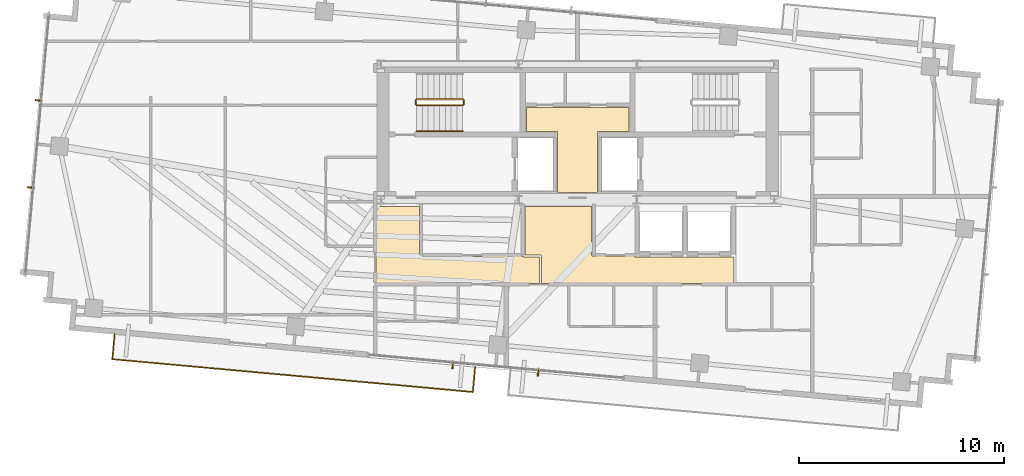
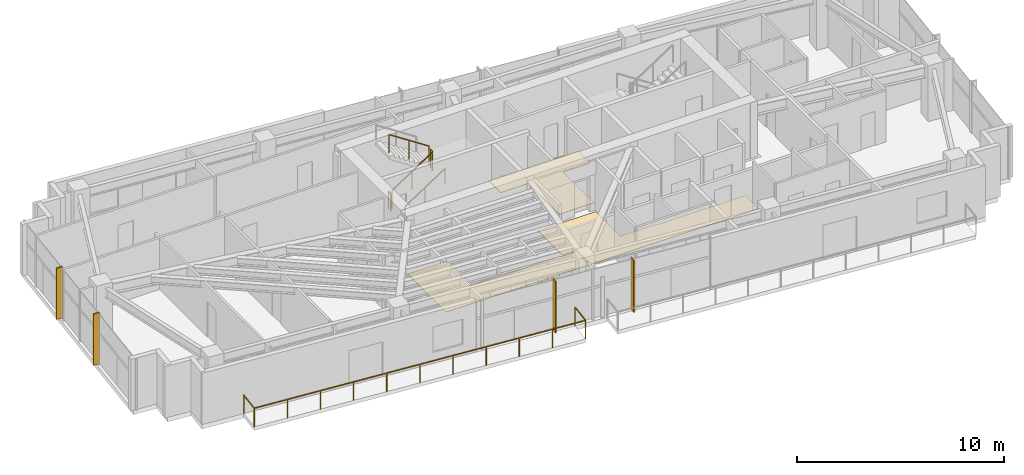
# One storey, part 20 of 22: 6 railings, 4 shading devices, 3 coverings.
"""IFC4 building model written with IfcOpenShell, lengths in metres."""

import ifcopenshell
import ifcopenshell.guid

model = None  # the IFC model being written
_history = None  # IfcOwnerHistory: only IFC2X3 demands one
_inside = {}  # id of a spatial element -> (the spatial element, [elements in it])
_under = {}  # id of a project, library or spatial element -> (it, [spatial elements below it])
_declared = {}  # id of a project -> (the project, [libraries it declares])
_typed = {}  # id of a type object -> (the type object, [elements of that type])
_made_of = {}  # id of a material, layer set ... -> (it, [elements and type objects made of it])


def new_model(schema):
    """Start an empty IFC model of exactly this schema.

    Asked for "IFC4X3", IfcOpenShell would pick the latest addendum, in which some entities
    have other attributes; the version numbers below select the first issue.
    IFC2X3 requires an IfcOwnerHistory on every rooted entity: one is made here for all.
    """
    global model, _history
    if schema == "IFC4X3":
        model = ifcopenshell.file(schema_version=(4, 3, 0, 0))
    else:
        model = ifcopenshell.file(schema=schema)
    _inside.clear()
    _under.clear()
    _declared.clear()
    _typed.clear()
    _made_of.clear()
    _history = None
    if model.schema == "IFC2X3":
        org = make("IfcOrganization", Name="unknown")
        user = make(
            "IfcPersonAndOrganization",
            ThePerson=make("IfcPerson", FamilyName="unknown"),
            TheOrganization=org,
        )
        app = make(
            "IfcApplication",
            ApplicationDeveloper=org,
            Version="unknown",
            ApplicationFullName="unknown",
            ApplicationIdentifier="unknown",
        )
        _history = make(
            "IfcOwnerHistory",
            OwningUser=user,
            OwningApplication=app,
            ChangeAction="ADDED",
            CreationDate=0,
        )
    return model


def make(cls, **values):
    """One entity of the class cls with the attributes given. An attribute that is None is left unset."""
    return model.create_entity(
        cls, **{name: value for name, value in values.items() if value is not None}
    )


def rooted(cls, **values):
    """An entity with a GlobalId (a new one), such as an element, a storey or a relation."""
    return make(cls, GlobalId=ifcopenshell.guid.new(), OwnerHistory=_history, **values)


def si_unit(unit_type, name, prefix=None):
    """IfcSIUnit, for example si_unit("LENGTHUNIT", "METRE", prefix="MILLI")."""
    return make("IfcSIUnit", UnitType=unit_type, Prefix=prefix, Name=name)


def assignment(units):
    """IfcUnitAssignment: the units of a project."""
    return None if units is None else make("IfcUnitAssignment", Units=units)


def point(xyz):
    """IfcCartesianPoint."""
    return None if xyz is None else make("IfcCartesianPoint", Coordinates=xyz)


def direction(xyz):
    """IfcDirection."""
    return None if xyz is None else make("IfcDirection", DirectionRatios=xyz)


def frame(location, z_axis=None, x_axis=None):
    """IfcAxis2Placement3D, a coordinate frame: its origin and axes. An axis left out is left unset."""
    return make(
        "IfcAxis2Placement3D",
        Location=point(location),
        Axis=direction(z_axis),
        RefDirection=direction(x_axis),
    )


def frame_2d(location, x_axis=None):
    """IfcAxis2Placement2D, a coordinate frame in the plane: its origin and x axis."""
    return make(
        "IfcAxis2Placement2D", Location=point(location), RefDirection=direction(x_axis)
    )


def origin():
    """The frame at (0, 0, 0) with its axes left unset."""
    return frame((0.0, 0.0, 0.0))


def origin_2d():
    """The frame at (0, 0) in the plane with its x axis left unset."""
    return frame_2d((0.0, 0.0))


def place(relative_to, where):
    """IfcLocalPlacement: puts the frame where relative to a parent placement (None: the world)."""
    return make(
        "IfcLocalPlacement", PlacementRelTo=relative_to, RelativePlacement=where
    )


def context(
    kind, dimensions, precision=None, world=None, true_north=None, identifier=None
):
    """IfcGeometricRepresentationContext, for example the 3D "Model" context."""
    return make(
        "IfcGeometricRepresentationContext",
        ContextIdentifier=identifier,
        ContextType=kind,
        CoordinateSpaceDimension=dimensions,
        Precision=precision,
        WorldCoordinateSystem=world,
        TrueNorth=true_north,
    )


def subcontext(parent, identifier, kind, view, scale=None):
    """IfcGeometricRepresentationSubContext, for example "Body" below "Model"."""
    return make(
        "IfcGeometricRepresentationSubContext",
        ContextIdentifier=identifier,
        ContextType=kind,
        ParentContext=parent,
        TargetScale=scale,
        TargetView=view,
    )


def project(units=None, contexts=None):
    """IfcProject with its units and contexts."""
    return rooted(
        "IfcProject",
        Name="project",
        RepresentationContexts=contexts,
        UnitsInContext=assignment(units),
    )


def spatial(cls, under=None, at=None, **own):
    """A site, building, storey or space (cls), placed at a placement, below another one or the project."""
    s = rooted(cls, ObjectPlacement=at, **own)
    if under is not None:
        _under.setdefault(under.id(), (under, []))[1].append(s)
    return s


def polyline(points):
    """IfcPolyline through the points."""
    return make("IfcPolyline", Points=[point(p) for p in points])


def profile(cls, at=None, kind="AREA", **sizes):
    """A parametric profile (cls). Its sizes go by their IFC names, for example OverallWidth=200.0."""
    return make(cls, ProfileType=kind, Position=at, **sizes)


def rectangle(**sizes):
    """IfcRectangleProfileDef."""
    return profile("IfcRectangleProfileDef", **sizes)


def outline(outer, holes=None, kind="AREA"):
    """IfcArbitraryClosedProfileDef: a profile drawn as a closed curve; with holes, ...WithVoids."""
    if holes is None:
        return make("IfcArbitraryClosedProfileDef", ProfileType=kind, OuterCurve=outer)
    return make(
        "IfcArbitraryProfileDefWithVoids",
        ProfileType=kind,
        OuterCurve=outer,
        InnerCurves=holes,
    )


def extrude(swept, where, along, depth):
    """IfcExtrudedAreaSolid: the profile swept, set in the frame where, extruded along a direction by depth."""
    return make(
        "IfcExtrudedAreaSolid",
        SweptArea=swept,
        Position=where,
        ExtrudedDirection=direction(along),
        Depth=depth,
    )


def shape(context_of_items, identifier, shape_type, items):
    """IfcShapeRepresentation: the items that make up one representation, for example the "Body"."""
    return make(
        "IfcShapeRepresentation",
        ContextOfItems=context_of_items,
        RepresentationIdentifier=identifier,
        RepresentationType=shape_type,
        Items=items,
    )


def source(mapping_origin, context_of_items, identifier, shape_type, items):
    """IfcRepresentationMap: a shape defined once, which mapped items show again and again."""
    return make(
        "IfcRepresentationMap",
        MappingOrigin=mapping_origin,
        MappedRepresentation=shape(context_of_items, identifier, shape_type, items),
    )


def transform(
    local_origin,
    x_axis=None,
    y_axis=None,
    z_axis=None,
    scale=None,
    scale2=None,
    scale3=None,
    uniform=True,
):
    """IfcCartesianTransformationOperator3D, or its non-uniform kind. x_axis, y_axis, z_axis: its Axis1, 2, 3."""
    if uniform:
        return make(
            "IfcCartesianTransformationOperator3D",
            Axis1=direction(x_axis),
            Axis2=direction(y_axis),
            LocalOrigin=point(local_origin),
            Scale=scale,
            Axis3=direction(z_axis),
        )
    return make(
        "IfcCartesianTransformationOperator3DnonUniform",
        Axis1=direction(x_axis),
        Axis2=direction(y_axis),
        LocalOrigin=point(local_origin),
        Scale=scale,
        Axis3=direction(z_axis),
        Scale2=scale2,
        Scale3=scale3,
    )


def mapped(mapping_source, mapping_target):
    """IfcMappedItem: shows the shape of a source again, moved by a transform."""
    return make(
        "IfcMappedItem", MappingSource=mapping_source, MappingTarget=mapping_target
    )


def material(Name=None, Category=None):
    """IfcMaterial."""
    return make("IfcMaterial", Name=Name, Category=Category)


def layer(
    of_material, thickness, ventilated=None, Name=None, Category=None, Priority=None
):
    """IfcMaterialLayer: one layer of a wall or slab, of a material (None: an air gap)."""
    return make(
        "IfcMaterialLayer",
        Material=of_material,
        LayerThickness=thickness,
        IsVentilated=ventilated,
        Name=Name,
        Category=Category,
        Priority=Priority,
    )


def layer_set(layers, Name=None):
    """IfcMaterialLayerSet."""
    return make("IfcMaterialLayerSet", MaterialLayers=layers, LayerSetName=Name)


def made_of(thing, what):
    """Note that an element or type object is made of a material, layer set ...; save() writes the relation."""
    if what is not None:
        _made_of.setdefault(what.id(), (what, []))[1].append(thing)
    return thing


def type_object(cls, material=None, **own):
    """A type object (cls), such as IfcWallType, which elements share."""
    return made_of(rooted(cls, **own), material)


def type_shapes(of_type, sources):
    """Give a type object the sources (RepresentationMaps) that its elements show as mapped items."""
    of_type.RepresentationMaps = sources


def element(
    cls,
    number,
    at=None,
    inside=None,
    cuts=None,
    type_object=None,
    material=None,
    context=None,
    identifier="Body",
    shape_type=None,
    held_by="IfcProductDefinitionShape",
    body=None,
    shapes=None,
    **own,
):
    """One element of the class cls, such as IfcWall. Its Tag is "e" and its number.

    at: its placement. inside: the storey or other place that contains it. cuts: it is an
    opening in that element (IfcRelVoidsElement). A single representation is given by context,
    identifier, shape_type and body (its items); several are given by shapes. held_by: the class
    of the entity that holds the representations. save() writes the other relations.
    """
    e = rooted(cls, Tag="e%d" % number, ObjectPlacement=at, **own)
    if body is not None:
        shapes = [shape(context, identifier, shape_type, body)]
    if shapes is not None:
        e.Representation = make(held_by, Representations=shapes)
    if inside is not None:
        _inside.setdefault(inside.id(), (inside, []))[1].append(e)
    if cuts is not None:
        rooted(
            "IfcRelVoidsElement", RelatingBuildingElement=cuts, RelatedOpeningElement=e
        )
    if type_object is not None:
        _typed.setdefault(type_object.id(), (type_object, []))[1].append(e)
    return made_of(e, material)


def aggregate(whole, parts):
    """IfcRelAggregates: a whole, such as a stair, and the parts it consists of."""
    return rooted("IfcRelAggregates", RelatingObject=whole, RelatedObjects=parts)


def save(model, path):
    """Write the relations noted so far, then the file.

    IfcRelAggregates (storeys below a building ...), IfcRelContainedInSpatialStructure (elements
    in a storey), IfcRelDefinesByType, IfcRelAssociatesMaterial and IfcRelDeclares: one each for
    every whole, place, type object, material and project.
    """
    for whole, parts in _under.values():
        aggregate(whole, parts)
    for where, things in _inside.values():
        rooted(
            "IfcRelContainedInSpatialStructure",
            RelatedElements=things,
            RelatingStructure=where,
        )
    for kind, things in _typed.values():
        rooted("IfcRelDefinesByType", RelatedObjects=things, RelatingType=kind)
    for what, things in _made_of.values():
        rooted("IfcRelAssociatesMaterial", RelatedObjects=things, RelatingMaterial=what)
    for by, libraries in _declared.values():
        rooted("IfcRelDeclares", RelatingContext=by, RelatedDefinitions=libraries)
    model.write(path)


model = new_model("IFC4")

# Units and contexts
model_context = context("Model", 3, precision=1e-05, world=origin(), true_north=direction((0.0, 1.0)))
body_context = subcontext(model_context, "Body", "Model", "MODEL_VIEW")
ifc_project = project(units=[si_unit("LENGTHUNIT", "METRE"), si_unit("AREAUNIT", "SQUARE_METRE"), si_unit("VOLUMEUNIT", "CUBIC_METRE"), si_unit("PLANEANGLEUNIT", "RADIAN"), si_unit("MASSUNIT", "GRAM", prefix="KILO")], contexts=[model_context])

# Site, building, storey
site_placement = place(None, origin())
site = spatial("IfcSite", under=ifc_project, at=site_placement, CompositionType="ELEMENT")
building_placement = place(site_placement, origin())
building = spatial("IfcBuilding", under=site, at=building_placement, Name="Astriad Promenade Condominiums", CompositionType="ELEMENT")
storey_placement = place(building_placement, frame((0.0, 0.0, 236.39990234375)))
storey = spatial("IfcBuildingStorey", under=building, at=storey_placement, Name="L68", CompositionType="ELEMENT", Elevation=236.39990234375)

# Coverings
ifc_material_1 = material(Name="Polished Lakefront Terrazzo Flooring")
ifc_layer = layer(ifc_material_1, 0.02001953125)
ifc_layer_set = layer_set([ifc_layer], Name="Polished Lakefront Terrazzo Flooring")
covering_type = type_object("IfcCoveringType", Name="COV-FLOR-TERRAZZO-20", PredefinedType="FLOORING", material=ifc_layer_set)
covering_1_placement = place(storey_placement, origin())
element("IfcCovering", 1, at=covering_1_placement, inside=storey, type_object=covering_type, Name="FLR-L68-CSL", PredefinedType="FLOORING", context=body_context, shape_type="SweptSolid", body=[
    extrude(outline(polyline([(36.97998046875, 20.699951171875), (36.97998046875, 17.739990234375), (35.02001953125, 17.739990234375), (35.02001953125, 20.699951171875), (35.019775390625, 20.703857421875), (35.019287109375, 20.707763671875), (35.018310546875, 20.711669921875), (35.01708984375, 20.71533203125), (35.015380859375, 20.718994140625), (35.01318359375, 20.72216796875), (35.010986328125, 20.725341796875), (35.00830078125, 20.728271484375), (35.00537109375, 20.73095703125), (35.002197265625, 20.7333984375), (34.998779296875, 20.7353515625), (34.995361328125, 20.737060546875), (34.99169921875, 20.73828125), (34.98779296875, 20.7392578125), (34.98388671875, 20.73974609375), (34.97998046875, 20.739990234375), (33.5, 20.739990234375), (33.5, 21.909912109375), (38.5, 21.909912109375), (38.5, 20.739990234375), (37.02001953125, 20.739990234375), (37.01611328125, 20.73974609375), (37.01220703125, 20.7392578125), (37.00830078125, 20.73828125), (37.004638671875, 20.737060546875), (37.001220703125, 20.7353515625), (36.997802734375, 20.7333984375), (36.99462890625, 20.73095703125), (36.99169921875, 20.728271484375), (36.989013671875, 20.725341796875), (36.98681640625, 20.72216796875), (36.984619140625, 20.718994140625), (36.98291015625, 20.71533203125), (36.981689453125, 20.711669921875), (36.980712890625, 20.707763671875), (36.980224609375, 20.703857421875), (36.97998046875, 20.699951171875)])), origin(), (0.0, 0.0, 1.0), 0.02001953125),
])
covering_2_placement = place(storey_placement, origin())
element("IfcCovering", 2, at=covering_2_placement, inside=storey, type_object=covering_type, Name="FLR-L68-LLB", PredefinedType="FLOORING", context=body_context, shape_type="SweptSolid", body=[
    extrude(outline(polyline([(43.639892578125, 14.610107421875), (43.639892578125, 13.320068359375), (34.239990234375, 13.320068359375), (34.239990234375, 14.64990234375), (34.23974609375, 14.65380859375), (34.2392578125, 14.65771484375), (34.23828125, 14.66162109375), (34.237060546875, 14.665283203125), (34.2353515625, 14.6689453125), (34.2333984375, 14.672119140625), (34.23095703125, 14.67529296875), (34.228271484375, 14.67822265625), (34.225341796875, 14.680908203125), (34.22216796875, 14.683349609375), (34.218994140625, 14.685302734375), (34.21533203125, 14.68701171875), (34.211669921875, 14.688232421875), (34.207763671875, 14.689208984375), (34.203857421875, 14.689697265625), (34.199951171875, 14.68994140625), (33.43994140625, 14.68994140625), (33.43994140625, 17.06005859375), (36.679931640625, 17.06005859375), (36.679931640625, 14.699951171875), (36.68017578125, 14.696044921875), (36.680908203125, 14.692138671875), (36.681640625, 14.6884765625), (36.68310546875, 14.684814453125), (36.684814453125, 14.68115234375), (36.686767578125, 14.677734375), (36.689208984375, 14.674560546875), (36.691650390625, 14.671630859375), (36.694580078125, 14.669189453125), (36.69775390625, 14.666748046875), (36.701171875, 14.664794921875), (36.70458984375, 14.6630859375), (36.70849609375, 14.66162109375), (36.712158203125, 14.660888671875), (36.716064453125, 14.66015625), (36.719970703125, 14.659912109375), (38.760009765625, 14.659912109375), (38.760009765625, 14.64990234375), (38.76025390625, 14.64599609375), (38.7607421875, 14.64208984375), (38.76171875, 14.638427734375), (38.762939453125, 14.634765625), (38.7646484375, 14.631103515625), (38.7666015625, 14.627685546875), (38.76904296875, 14.62451171875), (38.771728515625, 14.62158203125), (38.774658203125, 14.619140625), (38.77783203125, 14.61669921875), (38.781005859375, 14.61474609375), (38.78466796875, 14.613037109375), (38.788330078125, 14.61181640625), (38.792236328125, 14.61083984375), (38.796142578125, 14.610107421875), (38.800048828125, 14.610107421875), (43.639892578125, 14.610107421875)])), origin(), (0.0, 0.0, 1.0), 0.02001953125),
])
covering_3_placement = place(storey_placement, origin())
element("IfcCovering", 3, at=covering_3_placement, inside=storey, type_object=covering_type, Name="FLR-L68-COR-1", PredefinedType="FLOORING", context=body_context, shape_type="SweptSolid", body=[
    extrude(outline(polyline([(26.159912109375, 13.320068359375), (26.159912109375, 17.06005859375), (28.280029296875, 17.06005859375), (28.280029296875, 14.699951171875), (28.2802734375, 14.696044921875), (28.28076171875, 14.692138671875), (28.28173828125, 14.6884765625), (28.282958984375, 14.684814453125), (28.28466796875, 14.68115234375), (28.28662109375, 14.677734375), (28.2890625, 14.674560546875), (28.291748046875, 14.671630859375), (28.294677734375, 14.669189453125), (28.2978515625, 14.666748046875), (28.301025390625, 14.664794921875), (28.3046875, 14.6630859375), (28.308349609375, 14.66162109375), (28.312255859375, 14.660888671875), (28.316162109375, 14.66015625), (28.320068359375, 14.659912109375), (33.35009765625, 14.659912109375), (33.35009765625, 14.64892578125), (33.35009765625, 14.64501953125), (33.350830078125, 14.64111328125), (33.35107421875, 14.64013671875), (33.351318359375, 14.639404296875), (33.351318359375, 14.638427734375), (33.352294921875, 14.634521484375), (33.353759765625, 14.630859375), (33.3544921875, 14.629150390625), (33.356201171875, 14.6259765625), (33.356689453125, 14.625), (33.35888671875, 14.62158203125), (33.3603515625, 14.61962890625), (33.36083984375, 14.618896484375), (33.361083984375, 14.61865234375), (33.361328125, 14.618408203125), (33.361572265625, 14.617919921875), (33.36328125, 14.615966796875), (33.365966796875, 14.61328125), (33.367919921875, 14.611572265625), (33.368408203125, 14.611328125), (33.36865234375, 14.611083984375), (33.368896484375, 14.61083984375), (33.36962890625, 14.6103515625), (33.37158203125, 14.60888671875), (33.375, 14.606689453125), (33.3759765625, 14.606201171875), (33.379150390625, 14.6044921875), (33.3798828125, 14.604248046875), (33.380859375, 14.603759765625), (33.384521484375, 14.602294921875), (33.388427734375, 14.601318359375), (33.389404296875, 14.601318359375), (33.39013671875, 14.60107421875), (33.39111328125, 14.600830078125), (33.39501953125, 14.60009765625), (33.39892578125, 14.60009765625), (34.14990234375, 14.60009765625), (34.14990234375, 13.320068359375), (26.159912109375, 13.320068359375)])), origin(), (0.0, 0.0, 1.0), 0.02001953125),
])

# Shading devices
ifc_material_2 = material(Name="Anodised aluminium 6063-T6 Black Fin", Category="aluminium")
shading_device_type = type_object("IfcShadingDeviceType", Name="FIN-BLACK-260", PredefinedType="USERDEFINED", material=ifc_material_2)
shared_shape_1 = source(origin(), body_context, "Body", "SweptSolid", [
    extrude(rectangle(XDim=0.06494140625, YDim=0.320068359375, at=origin_2d()), origin(), (0.0, 0.0, 1.0), 3.0400390625),
])
type_shapes(shading_device_type, [shared_shape_1])
for number, where, z_axis, x_axis, name in (
    (4, (9.293212890625, 17.9970703125, 0.0), (0.0, 0.0, 1.0), (0.090632580198, 0.995884398616, 0.0), "CW-L68-W-FIN-01"),
    (5, (9.6796875, 22.246337890625, 0.0), (0.0, 0.0, 1.0), (0.090632580198, 0.995884398616, 0.0), "CW-L68-W-FIN-02"),
    (6, (34.073974609375, 8.937255859375, 0.0), (0.0, 0.0, 1.0), (-0.995884398616, 0.090632580198, 0.0), "CW-L68-S-FIN-01"),
    (7, (29.9111328125, 9.316162109375, 0.0), (0.0, 0.0, 1.0), (-0.995884398616, 0.090632580198, 0.0), "CW-L68-S-FIN-02"),
):
    element("IfcShadingDevice", number, at=place(storey_placement, frame(where, z_axis=z_axis, x_axis=x_axis)), inside=storey, type_object=shading_device_type, Name=name, ObjectType="FIN", PredefinedType="USERDEFINED", context=body_context, shape_type="MappedRepresentation", body=[
        mapped(shared_shape_1, transform((0.0, 0.0, 0.0), scale=1.0)),
    ])

# Railings
ifc_material_3 = material(Name="Laminated Glass and Stainless Steel Balustrade", Category="steel")
railing_type_1 = type_object("IfcRailingType", Name="GRD-BALC-1120", PredefinedType="BALUSTRADE", material=ifc_material_3)
shared_shape_2 = source(origin(), body_context, "Body", "SweptSolid", [
    extrude(rectangle(XDim=0.048095703125, YDim=0.048095703125, at=origin_2d()), frame((0.0, 0.0, 1.09619140625), z_axis=(-0.09066206129, -0.995881715186, 0.0), x_axis=(0.995881715186, -0.09066206129, 0.0)), (0.0, 0.0, 1.0), 1.219970703125),
    extrude(rectangle(XDim=0.048095703125, YDim=0.048095703125, at=origin_2d()), frame((-0.110595703125, -1.21484375, 1.09619140625), z_axis=(0.99588380392, -0.090639114569, 0.0), x_axis=(0.090639114569, 0.99588380392, 0.0)), (0.0, 0.0, 1.0), 17.675048828125),
    extrude(rectangle(XDim=0.048095703125, YDim=0.048095703125, at=origin_2d()), frame((17.49169921875, -2.81689453125, 1.09619140625), z_axis=(0.090643994769, 0.995883359743, 0.0), x_axis=(-0.995883359743, 0.090643994769, 0.0)), (0.0, 0.0, 1.0), 1.22021484375),
    extrude(rectangle(XDim=0.0419921875, YDim=0.0419921875, at=origin_2d()), origin(), (0.0, 0.0, 1.0), 1.072021484375),
    extrude(rectangle(XDim=0.0419921875, YDim=0.0419921875, at=origin_2d()), frame((-0.110595703125, -1.21484375, 0.0)), (0.0, 0.0, 1.0), 1.072021484375),
    extrude(rectangle(XDim=0.0419921875, YDim=0.0419921875, at=origin_2d()), frame((1.649658203125, -1.375, 0.0)), (0.0, 0.0, 1.0), 1.072021484375),
    extrude(rectangle(XDim=0.0419921875, YDim=0.0419921875, at=origin_2d()), frame((3.409912109375, -1.53515625, 0.0)), (0.0, 0.0, 1.0), 1.072021484375),
    extrude(rectangle(XDim=0.0419921875, YDim=0.0419921875, at=origin_2d()), frame((5.170166015625, -1.695556640625, 0.0)), (0.0, 0.0, 1.0), 1.072021484375),
    extrude(rectangle(XDim=0.0419921875, YDim=0.0419921875, at=origin_2d()), frame((6.930419921875, -1.855712890625, 0.0)), (0.0, 0.0, 1.0), 1.072021484375),
    extrude(rectangle(XDim=0.0419921875, YDim=0.0419921875, at=origin_2d()), frame((8.6904296875, -2.015869140625, 0.0)), (0.0, 0.0, 1.0), 1.072021484375),
    extrude(rectangle(XDim=0.0419921875, YDim=0.0419921875, at=origin_2d()), frame((10.45068359375, -2.176025390625, 0.0)), (0.0, 0.0, 1.0), 1.072021484375),
    extrude(rectangle(XDim=0.0419921875, YDim=0.0419921875, at=origin_2d()), frame((12.2109375, -2.336181640625, 0.0)), (0.0, 0.0, 1.0), 1.072021484375),
    extrude(rectangle(XDim=0.0419921875, YDim=0.0419921875, at=origin_2d()), frame((13.97119140625, -2.49658203125, 0.0)), (0.0, 0.0, 1.0), 1.072021484375),
    extrude(rectangle(XDim=0.0419921875, YDim=0.0419921875, at=origin_2d()), frame((15.7314453125, -2.65673828125, 0.0)), (0.0, 0.0, 1.0), 1.072021484375),
    extrude(rectangle(XDim=0.0419921875, YDim=0.0419921875, at=origin_2d()), frame((17.49169921875, -2.81689453125, 0.0)), (0.0, 0.0, 1.0), 1.072021484375),
    extrude(rectangle(XDim=0.0419921875, YDim=0.0419921875, at=origin_2d()), frame((17.602294921875, -1.601806640625, 0.0)), (0.0, 0.0, 1.0), 1.072021484375),
])
type_shapes(railing_type_1, [shared_shape_2])
railing_1_placement = place(storey_placement, frame((13.401123046875, 10.82861328125, 0.0)))
element("IfcRailing", 8, at=railing_1_placement, inside=storey, type_object=railing_type_1, Name="GRD-BALC-L68-SW", PredefinedType="BALUSTRADE", context=body_context, shape_type="MappedRepresentation", body=[
    mapped(shared_shape_2, transform((0.0, 0.0, 0.0), scale=1.0)),
])
ifc_material_4 = material(Name="Painted Galvanised Steel Guardrail", Category="steel")
railing_type_2 = type_object("IfcRailingType", Name="GRD-STAIR-1100", PredefinedType="GUARDRAIL", material=ifc_material_4)
shared_shape_3 = source(origin(), body_context, "Body", "SweptSolid", [
    extrude(rectangle(XDim=0.048095703125, YDim=0.048095703125, at=origin_2d()), frame((0.0, 0.0, 1.076171875), z_axis=(0.0, 1.0, 0.0), x_axis=(-1.0, 0.0, 0.0)), (0.0, 0.0, 1.0), 0.199951171875),
    extrude(rectangle(XDim=0.0419921875, YDim=0.0419921875, at=origin_2d()), origin(), (0.0, 0.0, 1.0), 1.052001953125),
    extrude(rectangle(XDim=0.0419921875, YDim=0.0419921875, at=origin_2d()), frame((0.0, 0.199951171875, 0.0)), (0.0, 0.0, 1.0), 1.052001953125),
])
for number, where, name in (
    (9, (30.43994140625, 22.050048828125, 1.650146484375), "L68 ST-1 stair guard 2"),
    (10, (28.10009765625, 22.050048828125, 0.0), "L68 ST-1 stair guard 4"),
):
    element("IfcRailing", number, at=place(storey_placement, frame(where)), inside=storey, type_object=railing_type_2, Name=name, PredefinedType="GUARDRAIL", context=body_context, shape_type="MappedRepresentation", body=[
        mapped(shared_shape_3, transform((0.0, 0.0, 0.0), scale=1.0)),
    ])
shared_shape_4 = source(origin(), body_context, "Body", "SweptSolid", [
    extrude(rectangle(XDim=0.048095703125, YDim=0.048095703125, at=origin_2d()), frame((0.0, 0.0, 1.076171875), z_axis=(-0.836636935527, 0.0, 0.547757827979), x_axis=(0.0, -1.0, 0.0)), (0.0, 0.0, 1.0), 2.677490234375),
    extrude(rectangle(XDim=0.0419921875, YDim=0.0419921875, at=origin_2d()), origin(), (0.0, 0.0, 1.0), 1.052001953125),
    extrude(rectangle(XDim=0.0419921875, YDim=0.0419921875, at=origin_2d()), frame((-1.1201171875, 0.0, 0.7333984375)), (0.0, 0.0, 1.0), 1.052001953125),
    extrude(rectangle(XDim=0.0419921875, YDim=0.0419921875, at=origin_2d()), frame((-2.239990234375, 0.0, 1.466552734375)), (0.0, 0.0, 1.0), 1.052001953125),
])
railing_2_placement = place(storey_placement, frame((30.389892578125, 22.300048828125, 1.83349609375)))
element("IfcRailing", 11, at=railing_2_placement, inside=storey, type_object=railing_type_2, Name="L68 ST-1 stair guard 3", PredefinedType="GUARDRAIL", context=body_context, shape_type="MappedRepresentation", body=[
    mapped(shared_shape_4, transform((0.0, 0.0, 0.0), scale=1.0)),
])
shared_shape_5 = source(origin(), body_context, "Body", "SweptSolid", [
    extrude(rectangle(XDim=0.048095703125, YDim=0.048095703125, at=origin_2d()), frame((0.0, 0.0, 1.076171875), z_axis=(0.836595146698, 0.0, 0.547821650285), x_axis=(0.0, 1.0, 0.0)), (0.0, 0.0, 1.0), 2.677490234375),
    extrude(rectangle(XDim=0.0419921875, YDim=0.0419921875, at=origin_2d()), origin(), (0.0, 0.0, 1.0), 1.052001953125),
    extrude(rectangle(XDim=0.0419921875, YDim=0.0419921875, at=origin_2d()), frame((1.1201171875, 0.0, 0.7333984375)), (0.0, 0.0, 1.0), 1.052001953125),
    extrude(rectangle(XDim=0.0419921875, YDim=0.0419921875, at=origin_2d()), frame((2.239990234375, 0.0, 1.466796875)), (0.0, 0.0, 1.0), 1.052001953125),
])
type_shapes(railing_type_2, [shared_shape_3, shared_shape_4, shared_shape_5])
railing_3_placement = place(storey_placement, frame((28.14990234375, 22.0, 0.183349609375)))
element("IfcRailing", 12, at=railing_3_placement, inside=storey, type_object=railing_type_2, Name="L68 ST-1 stair guard 1", PredefinedType="GUARDRAIL", context=body_context, shape_type="MappedRepresentation", body=[
    mapped(shared_shape_5, transform((0.0, 0.0, 0.0), scale=1.0)),
])
ifc_material_5 = material(Name="Brushed Stainless Steel Handrail", Category="steel")
railing_type_3 = type_object("IfcRailingType", Name="HRL-STAIR-920", PredefinedType="HANDRAIL", material=ifc_material_5)
shared_shape_6 = source(origin(), body_context, "Body", "SweptSolid", [
    extrude(rectangle(XDim=0.048095703125, YDim=0.048095703125, at=origin_2d()), frame((0.0, 0.0, 0.8759765625), z_axis=(0.836595146698, 0.0, 0.547821650285), x_axis=(0.0, 1.0, 0.0)), (0.0, 0.0, 1.0), 2.677490234375),
    extrude(rectangle(XDim=0.0419921875, YDim=0.0419921875, at=origin_2d()), origin(), (0.0, 0.0, 1.0), 0.851806640625),
    extrude(rectangle(XDim=0.0419921875, YDim=0.0419921875, at=origin_2d()), frame((1.1201171875, 0.0, 0.7333984375)), (0.0, 0.0, 1.0), 0.851806640625),
    extrude(rectangle(XDim=0.0419921875, YDim=0.0419921875, at=origin_2d()), frame((2.239990234375, 0.0, 1.466796875)), (0.0, 0.0, 1.0), 0.851806640625),
])
type_shapes(railing_type_3, [shared_shape_6])
railing_4_placement = place(storey_placement, frame((28.14990234375, 20.75, 0.183349609375)))
element("IfcRailing", 13, at=railing_4_placement, inside=storey, type_object=railing_type_3, Name="L68 ST-1 stair handrail 1", PredefinedType="HANDRAIL", context=body_context, shape_type="MappedRepresentation", body=[
    mapped(shared_shape_6, transform((0.0, 0.0, 0.0), scale=1.0)),
])

save(model, "model.ifc")
